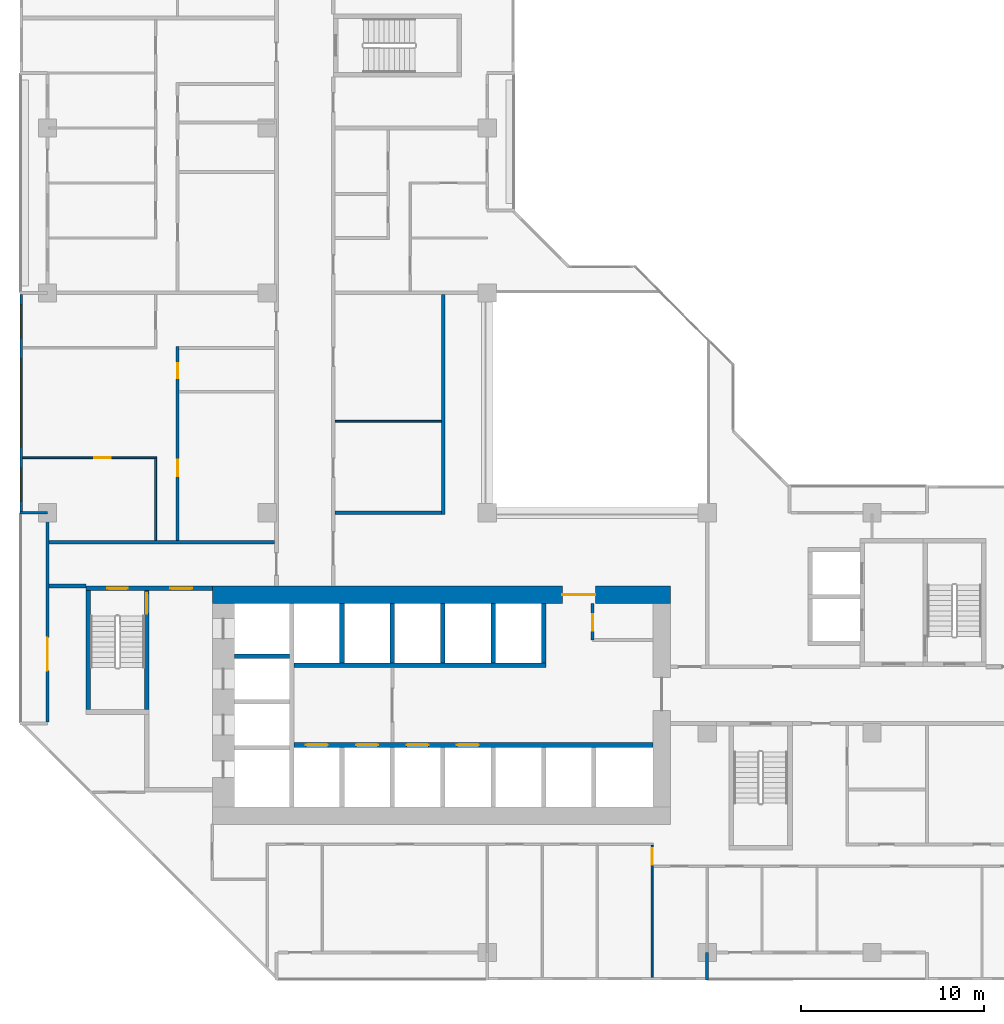
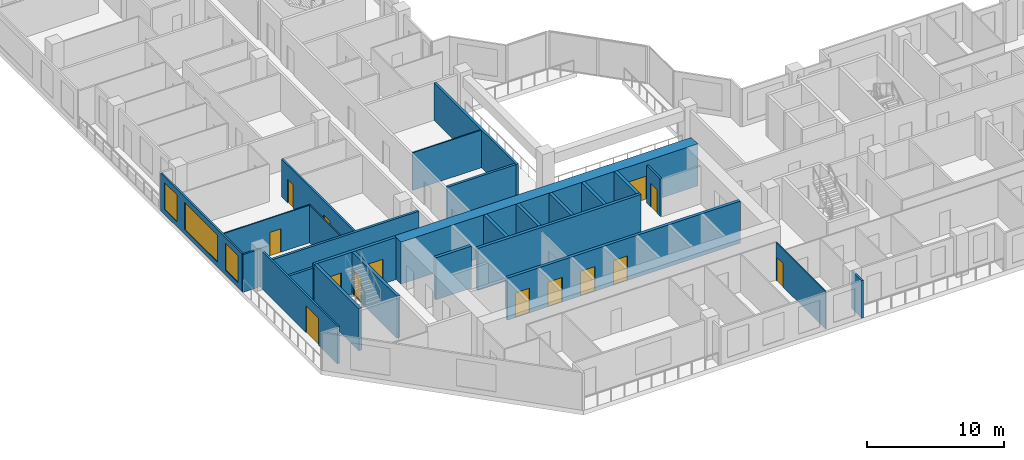
# One storey, part 5 of 16: 26 walls, 14 doors, 3 windows, 17 openings.
"""IFC4 building model written with IfcOpenShell, lengths in metres."""

from ifc_helpers import new_model, si_unit, direction, frame, frame_2d, origin, place, context, subcontext, project, spatial, rectangle, extrude, material, layer, layer_set, type_object, element, fill, save


model = new_model("IFC4")

# Units and contexts
model_context = context("Model", 3, precision=1e-05, world=origin(), true_north=direction((0.0, 1.0)))
body_context = subcontext(model_context, "Body", "Model", "MODEL_VIEW")
ifc_project = project(units=[si_unit("LENGTHUNIT", "METRE"), si_unit("AREAUNIT", "SQUARE_METRE"), si_unit("VOLUMEUNIT", "CUBIC_METRE"), si_unit("PLANEANGLEUNIT", "RADIAN"), si_unit("MASSUNIT", "GRAM", prefix="KILO")], contexts=[model_context])

# Site, building, storey
site_placement = place(None, origin())
site = spatial("IfcSite", under=ifc_project, at=site_placement, CompositionType="ELEMENT")
building_placement = place(site_placement, origin())
building = spatial("IfcBuilding", under=site, at=building_placement, Name="Chenar Terraces", CompositionType="ELEMENT")
storey_placement = place(building_placement, frame((0.0, 0.0, 103.14990234375)))
storey = spatial("IfcBuildingStorey", under=building, at=storey_placement, Name="L23", CompositionType="ELEMENT", Elevation=103.14990234375)

# Wall, opening, door
ifc_material_1 = material(Name="Gypsum board on steel studs", Category="steel")
ifc_layer_1 = layer(ifc_material_1, 0.14990234375)
ifc_layer_set_1 = layer_set([ifc_layer_1], Name="Gypsum board on steel studs")
wall_type_1 = type_object("IfcWallType", Name="Core partition 150 gypsum board", PredefinedType="PARTITIONING", material=ifc_layer_set_1)
wall_1_placement = place(storey_placement, frame((29.75, 17.050048828125, 0.0), z_axis=(0.0, 0.0, 1.0), x_axis=(0.0, 1.0, 0.0)))
wall_1 = element("IfcWall", 1, at=wall_1_placement, inside=storey, type_object=wall_type_1, Name="Core partition CP1 vestibule room west wall", PredefinedType="PARTITIONING", context=body_context, shape_type="SweptSolid", body=[
    extrude(rectangle(XDim=2.0, YDim=0.14990234375, at=frame_2d((1.0, 0.0))), origin(), (0.0, 0.0, 1.0), 3.35009765625),
])
opening_1_placement = place(wall_1_placement, frame((0.5, 0.0, 0.0)))
opening_1 = element("IfcOpeningElement", 2, at=opening_1_placement, cuts=wall_1, Name="Opening DL23-C13", PredefinedType="OPENING", context=body_context, shape_type="SweptSolid", body=[
    extrude(rectangle(XDim=0.89990234375, YDim=2.10009765625, at=frame_2d((0.449951171875, 1.050048828125))), frame((0.0, 0.0849609375, 0.0), z_axis=(0.0, -1.0, 0.0), x_axis=(1.0, 0.0, 0.0)), (0.0, 0.0, 1.0), 0.169921875),
])
ifc_material_2 = material(Name="Steel-framed fire-resisting door leaf", Category="steel")
door_type_1 = type_object("IfcDoorType", Name="Riser fire door FD60 900 x 2100", OperationType="SINGLE_SWING_LEFT", PredefinedType="DOOR", material=ifc_material_2)
door_1_placement = place(opening_1_placement, frame((0.89990234375, 0.0, 0.0), z_axis=(0.0, 0.0, 1.0), x_axis=(-1.0, 0.0, 0.0)))
door_1 = element("IfcDoor", 3, at=door_1_placement, inside=storey, type_object=door_type_1, Name="Core room door DL23-C13", OperationType="SINGLE_SWING_RIGHT", OverallHeight=2.10009765625, OverallWidth=0.89990234375, PredefinedType="DOOR", context=body_context, shape_type="SweptSolid", body=[
    extrude(rectangle(XDim=0.89990234375, YDim=2.10009765625, at=frame_2d((0.449951171875, 1.050048828125))), frame((0.0, 0.02490234375, 0.0), z_axis=(0.0, -1.0, 0.0), x_axis=(1.0, 0.0, 0.0)), (0.0, 0.0, 1.0), 0.050048828125),
])
fill(opening_1, door_1)

# Wall, openings, doors
ifc_material_3 = material(Name="Concrete C70/85", Category="concrete")
ifc_layer_2 = layer(ifc_material_3, 0.25)
ifc_layer_set_2 = layer_set([ifc_layer_2], Name="Concrete C70/85")
wall_type_2 = type_object("IfcWallType", Name="Core wall 250 Concrete C70/85", PredefinedType="SHEAR", material=ifc_layer_set_2)
wall_2_placement = place(storey_placement, frame((13.449951171875, 11.324951171875, 0.0), z_axis=(0.0, 0.0, 1.0), x_axis=(1.0, 0.0, 0.0)))
wall_2 = element("IfcWall", 4, at=wall_2_placement, inside=storey, type_object=wall_type_2, Name="Core wall SF L23", PredefinedType="SHEAR", context=body_context, shape_type="SweptSolid", body=[
    extrude(rectangle(XDim=19.60009765625, YDim=0.25, at=frame_2d((9.800048828125, 0.0))), origin(), (0.0, 0.0, 1.0), 3.75),
])
opening_2_placement = place(wall_2_placement, frame((0.64990234375, 0.0, 0.0)))
opening_2 = element("IfcOpeningElement", 5, at=opening_2_placement, cuts=wall_2, Name="Opening DL23-LD1", PredefinedType="OPENING", context=body_context, shape_type="SweptSolid", body=[
    extrude(rectangle(XDim=1.199951171875, YDim=2.199951171875, at=frame_2d((0.60009765625, 1.10009765625))), frame((0.0, 0.135009765625, 0.0), z_axis=(0.0, -1.0, 0.0), x_axis=(1.0, 0.0, 0.0)), (0.0, 0.0, 1.0), 0.27001953125),
])
opening_3_placement = place(wall_2_placement, frame((3.39990234375, 0.0, 0.0)))
opening_3 = element("IfcOpeningElement", 6, at=opening_3_placement, cuts=wall_2, Name="Opening DL23-LD2", PredefinedType="OPENING", context=body_context, shape_type="SweptSolid", body=[
    extrude(rectangle(XDim=1.199951171875, YDim=2.199951171875, at=frame_2d((0.60009765625, 1.10009765625))), frame((0.0, 0.135009765625, 0.0), z_axis=(0.0, -1.0, 0.0), x_axis=(1.0, 0.0, 0.0)), (0.0, 0.0, 1.0), 0.27001953125),
])
opening_4_placement = place(wall_2_placement, frame((6.14990234375, 0.0, 0.0)))
opening_4 = element("IfcOpeningElement", 7, at=opening_4_placement, cuts=wall_2, Name="Opening DL23-LD3", PredefinedType="OPENING", context=body_context, shape_type="SweptSolid", body=[
    extrude(rectangle(XDim=1.199951171875, YDim=2.199951171875, at=frame_2d((0.60009765625, 1.10009765625))), frame((0.0, 0.135009765625, 0.0), z_axis=(0.0, -1.0, 0.0), x_axis=(1.0, 0.0, 0.0)), (0.0, 0.0, 1.0), 0.27001953125),
])
opening_5_placement = place(wall_2_placement, frame((8.89990234375, 0.0, 0.0)))
opening_5 = element("IfcOpeningElement", 8, at=opening_5_placement, cuts=wall_2, Name="Opening DL23-LD4", PredefinedType="OPENING", context=body_context, shape_type="SweptSolid", body=[
    extrude(rectangle(XDim=1.199951171875, YDim=2.199951171875, at=frame_2d((0.60009765625, 1.10009765625))), frame((0.0, 0.135009765625, 0.0), z_axis=(0.0, -1.0, 0.0), x_axis=(1.0, 0.0, 0.0)), (0.0, 0.0, 1.0), 0.27001953125),
])
ifc_material_4 = material(Name="Stainless steel", Category="steel")
door_type_2 = type_object("IfcDoorType", Name="Lift landing door 1200 x 2200 sliding", OperationType="DOUBLE_DOOR_SLIDING", PredefinedType="DOOR", material=ifc_material_4)
door_2_placement = place(opening_2_placement, origin())
door_2 = element("IfcDoor", 9, at=door_2_placement, inside=storey, type_object=door_type_2, Name="Landing door L1", OperationType="DOUBLE_DOOR_SLIDING", OverallHeight=2.199951171875, OverallWidth=1.199951171875, PredefinedType="DOOR", context=body_context, shape_type="SweptSolid", body=[
    extrude(rectangle(XDim=1.199951171875, YDim=2.199951171875, at=frame_2d((0.60009765625, 1.10009765625))), frame((0.0, 0.02490234375, 0.0), z_axis=(0.0, -1.0, 0.0), x_axis=(1.0, 0.0, 0.0)), (0.0, 0.0, 1.0), 0.050048828125),
])
fill(opening_2, door_2)
door_3_placement = place(opening_3_placement, origin())
door_3 = element("IfcDoor", 10, at=door_3_placement, inside=storey, type_object=door_type_2, Name="Landing door L2", OperationType="DOUBLE_DOOR_SLIDING", OverallHeight=2.199951171875, OverallWidth=1.199951171875, PredefinedType="DOOR", context=body_context, shape_type="SweptSolid", body=[
    extrude(rectangle(XDim=1.199951171875, YDim=2.199951171875, at=frame_2d((0.60009765625, 1.10009765625))), frame((0.0, 0.02490234375, 0.0), z_axis=(0.0, -1.0, 0.0), x_axis=(1.0, 0.0, 0.0)), (0.0, 0.0, 1.0), 0.050048828125),
])
fill(opening_3, door_3)
door_4_placement = place(opening_4_placement, origin())
door_4 = element("IfcDoor", 11, at=door_4_placement, inside=storey, type_object=door_type_2, Name="Landing door L3", OperationType="DOUBLE_DOOR_SLIDING", OverallHeight=2.199951171875, OverallWidth=1.199951171875, PredefinedType="DOOR", context=body_context, shape_type="SweptSolid", body=[
    extrude(rectangle(XDim=1.199951171875, YDim=2.199951171875, at=frame_2d((0.60009765625, 1.10009765625))), frame((0.0, 0.02490234375, 0.0), z_axis=(0.0, -1.0, 0.0), x_axis=(1.0, 0.0, 0.0)), (0.0, 0.0, 1.0), 0.050048828125),
])
fill(opening_4, door_4)
door_5_placement = place(opening_5_placement, origin())
door_5 = element("IfcDoor", 12, at=door_5_placement, inside=storey, type_object=door_type_2, Name="Landing door L4", OperationType="DOUBLE_DOOR_SLIDING", OverallHeight=2.199951171875, OverallWidth=1.199951171875, PredefinedType="DOOR", context=body_context, shape_type="SweptSolid", body=[
    extrude(rectangle(XDim=1.199951171875, YDim=2.199951171875, at=frame_2d((0.60009765625, 1.10009765625))), frame((0.0, 0.02490234375, 0.0), z_axis=(0.0, -1.0, 0.0), x_axis=(1.0, 0.0, 0.0)), (0.0, 0.0, 1.0), 0.050048828125),
])
fill(opening_5, door_5)

# Walls
wall_3_placement = place(storey_placement, frame((13.449951171875, 15.675048828125, 0.0), z_axis=(0.0, 0.0, 1.0), x_axis=(1.0, 0.0, 0.0)))
element("IfcWall", 13, at=wall_3_placement, inside=storey, type_object=wall_type_2, Name="Core wall NF L23", PredefinedType="SHEAR", context=body_context, shape_type="SweptSolid", body=[
    extrude(rectangle(XDim=13.75, YDim=0.25, at=frame_2d((6.875, 0.0))), origin(), (0.0, 0.0, 1.0), 3.75),
])
wall_4_placement = place(storey_placement, frame((10.199951171875, 16.175048828125, 0.0), z_axis=(0.0, 0.0, 1.0), x_axis=(1.0, 0.0, 0.0)))
element("IfcWall", 14, at=wall_4_placement, inside=storey, type_object=wall_type_2, Name="Core wall HW2 L23", PredefinedType="SHEAR", context=body_context, shape_type="SweptSolid", body=[
    extrude(rectangle(XDim=3.0, YDim=0.25, at=frame_2d((1.5, 0.0))), origin(), (0.0, 0.0, 1.0), 3.75),
])
for number, where, z_axis, x_axis, name in (
    (15, (16.074951171875, 15.800048828125, 0.0), (0.0, 0.0, 1.0), (0.0, 1.0, 0.0), "Core wall NS0 L23"),
    (16, (18.824951171875, 15.800048828125, 0.0), (0.0, 0.0, 1.0), (0.0, 1.0, 0.0), "Core wall NS1 L23"),
    (17, (21.574951171875, 15.800048828125, 0.0), (0.0, 0.0, 1.0), (0.0, 1.0, 0.0), "Core wall NS2 L23"),
    (18, (24.324951171875, 15.800048828125, 0.0), (0.0, 0.0, 1.0), (0.0, 1.0, 0.0), "Core wall NS3 L23"),
    (19, (27.074951171875, 15.800048828125, 0.0), (0.0, 0.0, 1.0), (0.0, 1.0, 0.0), "Core wall NE L23"),
):
    element("IfcWall", number, at=place(storey_placement, frame(where, z_axis=z_axis, x_axis=x_axis)), inside=storey, type_object=wall_type_2, Name=name, PredefinedType="SHEAR", context=body_context, shape_type="SweptSolid", body=[
        extrude(rectangle(XDim=3.25, YDim=0.25, at=frame_2d((1.625, 0.0))), origin(), (0.0, 0.0, 1.0), 3.75),
    ])

# Wall, openings, doors
wall_5_placement = place(storey_placement, frame((2.10009765625, 19.875, 0.0), z_axis=(0.0, 0.0, 1.0), x_axis=(1.0, 0.0, 0.0)))
wall_5 = element("IfcWall", 20, at=wall_5_placement, inside=storey, type_object=wall_type_2, Name="Core wall A_N L23", PredefinedType="SHEAR", context=body_context, shape_type="SweptSolid", body=[
    extrude(rectangle(XDim=6.89990234375, YDim=0.25, at=frame_2d((3.449951171875, 0.0))), origin(), (0.0, 0.0, 1.0), 3.75),
])
opening_6_placement = place(wall_5_placement, frame((1.175048828125, 0.0, 0.0)))
opening_6 = element("IfcOpeningElement", 21, at=opening_6_placement, cuts=wall_5, Name="Opening DL23-C5", PredefinedType="OPENING", context=body_context, shape_type="SweptSolid", body=[
    extrude(rectangle(XDim=1.10009765625, YDim=2.199951171875, at=frame_2d((0.550048828125, 1.10009765625))), frame((0.0, 0.135009765625, 0.0), z_axis=(0.0, -1.0, 0.0), x_axis=(1.0, 0.0, 0.0)), (0.0, 0.0, 1.0), 0.27001953125),
])
opening_7_placement = place(wall_5_placement, frame((4.60009765625, 0.0, 0.0)))
opening_7 = element("IfcOpeningElement", 22, at=opening_7_placement, cuts=wall_5, Name="Opening DL23-C6", PredefinedType="OPENING", context=body_context, shape_type="SweptSolid", body=[
    extrude(rectangle(XDim=1.199951171875, YDim=2.199951171875, at=frame_2d((0.60009765625, 1.10009765625))), frame((0.0, 0.135009765625, 0.0), z_axis=(0.0, -1.0, 0.0), x_axis=(1.0, 0.0, 0.0)), (0.0, 0.0, 1.0), 0.27001953125),
])
ifc_material_5 = material(Name="Steel-framed fire-resisting door leaf", Category="steel")
door_type_3 = type_object("IfcDoorType", Name="Lobby fire door FD60 1200 x 2200", OperationType="SINGLE_SWING_LEFT", PredefinedType="DOOR", material=ifc_material_5)
door_6_placement = place(opening_7_placement, frame((1.199951171875, 0.0, 0.0), z_axis=(0.0, 0.0, 1.0), x_axis=(-1.0, 0.0, 0.0)))
door_6 = element("IfcDoor", 23, at=door_6_placement, inside=storey, type_object=door_type_3, Name="Core door DL23-C6", OperationType="SINGLE_SWING_LEFT", OverallHeight=2.199951171875, OverallWidth=1.199951171875, PredefinedType="DOOR", context=body_context, shape_type="SweptSolid", body=[
    extrude(rectangle(XDim=1.199951171875, YDim=2.199951171875, at=frame_2d((0.60009765625, 1.10009765625))), frame((0.0, 0.02490234375, 0.0), z_axis=(0.0, -1.0, 0.0), x_axis=(1.0, 0.0, 0.0)), (0.0, 0.0, 1.0), 0.050048828125),
])
fill(opening_7, door_6)
ifc_material_6 = material(Name="Steel-framed fire-resisting door leaf", Category="steel")
door_type_4 = type_object("IfcDoorType", Name="Stair fire door FD60 1100 x 2200", OperationType="SINGLE_SWING_LEFT", PredefinedType="DOOR", material=ifc_material_6)
door_7_placement = place(opening_6_placement, origin())
door_7 = element("IfcDoor", 24, at=door_7_placement, inside=storey, type_object=door_type_4, Name="Stair door DL23-C5", OperationType="SINGLE_SWING_LEFT", OverallHeight=2.199951171875, OverallWidth=1.10009765625, PredefinedType="DOOR", context=body_context, shape_type="SweptSolid", body=[
    extrude(rectangle(XDim=1.10009765625, YDim=2.199951171875, at=frame_2d((0.550048828125, 1.10009765625))), frame((0.0, 0.02490234375, 0.0), z_axis=(0.0, -1.0, 0.0), x_axis=(1.0, 0.0, 0.0)), (0.0, 0.0, 1.0), 0.050048828125),
])
fill(opening_6, door_7)

# Wall
wall_6_placement = place(storey_placement, frame((2.22509765625, 13.25, 0.0), z_axis=(0.0, 0.0, 1.0), x_axis=(0.0, 1.0, 0.0)))
element("IfcWall", 25, at=wall_6_placement, inside=storey, type_object=wall_type_2, Name="Core wall ST1_W L23", PredefinedType="SHEAR", context=body_context, shape_type="SweptSolid", body=[
    extrude(rectangle(XDim=6.5, YDim=0.25, at=frame_2d((3.25, 0.0))), origin(), (0.0, 0.0, 1.0), 3.75),
])

# Wall, opening, door
wall_7_placement = place(storey_placement, frame((5.425048828125, 13.25, 0.0), z_axis=(0.0, 0.0, 1.0), x_axis=(0.0, 1.0, 0.0)))
wall_7 = element("IfcWall", 26, at=wall_7_placement, inside=storey, type_object=wall_type_2, Name="Core wall ST1_E L23", PredefinedType="SHEAR", context=body_context, shape_type="SweptSolid", body=[
    extrude(rectangle(XDim=6.5, YDim=0.25, at=frame_2d((3.25, 0.0))), origin(), (0.0, 0.0, 1.0), 3.75),
])
opening_8_placement = place(wall_7_placement, frame((5.25, 0.0, 0.0)))
opening_8 = element("IfcOpeningElement", 27, at=opening_8_placement, cuts=wall_7, Name="Opening DL23-C3", PredefinedType="OPENING", context=body_context, shape_type="SweptSolid", body=[
    extrude(rectangle(XDim=1.10009765625, YDim=2.199951171875, at=frame_2d((0.550048828125, 1.10009765625))), frame((0.0, 0.135009765625, 0.0), z_axis=(0.0, -1.0, 0.0), x_axis=(1.0, 0.0, 0.0)), (0.0, 0.0, 1.0), 0.27001953125),
])
door_8_placement = place(opening_8_placement, origin())
door_8 = element("IfcDoor", 28, at=door_8_placement, inside=storey, type_object=door_type_4, Name="Stair door DL23-C3", OperationType="SINGLE_SWING_RIGHT", OverallHeight=2.199951171875, OverallWidth=1.10009765625, PredefinedType="DOOR", context=body_context, shape_type="SweptSolid", body=[
    extrude(rectangle(XDim=1.10009765625, YDim=2.199951171875, at=frame_2d((0.550048828125, 1.10009765625))), frame((0.0, 0.02490234375, 0.0), z_axis=(0.0, -1.0, 0.0), x_axis=(1.0, 0.0, 0.0)), (0.0, 0.0, 1.0), 0.050048828125),
])
fill(opening_8, door_8)

ifc_material_7 = material(Name="Concrete C70/85", Category="concrete")
ifc_layer_3 = layer(ifc_material_7, 0.949951171875)
ifc_layer_set_3 = layer_set([ifc_layer_3], Name="Concrete C70/85")
wall_type_3 = type_object("IfcWallType", Name="Core wall 950 Concrete C70/85", PredefinedType="SHEAR", material=ifc_layer_set_3)
wall_8_placement = place(storey_placement, frame((9.0, 19.52490234375, 0.0), z_axis=(0.0, 0.0, 1.0), x_axis=(1.0, 0.0, 0.0)))
wall_8 = element("IfcWall", 29, at=wall_8_placement, inside=storey, type_object=wall_type_3, Name="Core wall N L23", PredefinedType="SHEAR", context=body_context, shape_type="SweptSolid", body=[
    extrude(rectangle(XDim=25.0, YDim=0.949951171875, at=frame_2d((12.5, 0.0))), origin(), (0.0, 0.0, 1.0), 3.75),
])
opening_9_placement = place(wall_8_placement, frame((19.10009765625, 0.0, 0.0)))
opening_9 = element("IfcOpeningElement", 30, at=opening_9_placement, cuts=wall_8, Name="Opening DL23-C2", PredefinedType="OPENING", context=body_context, shape_type="SweptSolid", body=[
    extrude(rectangle(XDim=1.800048828125, YDim=2.39990234375, at=frame_2d((0.89990234375, 1.199951171875))), frame((0.0, 0.48486328125, 0.0), z_axis=(0.0, -1.0, 0.0), x_axis=(1.0, 0.0, 0.0)), (0.0, 0.0, 1.0), 0.969970703125),
])
ifc_material_8 = material(Name="Steel-framed fire-resisting door leaf", Category="steel")
door_type_5 = type_object("IfcDoorType", Name="Core entrance double fire door FD60 1800 x 2400", OperationType="DOUBLE_DOOR_SINGLE_SWING", PredefinedType="DOOR", material=ifc_material_8)
door_9_placement = place(opening_9_placement, origin())
door_9 = element("IfcDoor", 31, at=door_9_placement, inside=storey, type_object=door_type_5, Name="Core door DL23-C2", OperationType="DOUBLE_DOOR_SINGLE_SWING", OverallHeight=2.39990234375, OverallWidth=1.800048828125, PredefinedType="DOOR", context=body_context, shape_type="SweptSolid", body=[
    extrude(rectangle(XDim=1.800048828125, YDim=2.39990234375, at=frame_2d((0.89990234375, 1.199951171875))), frame((0.0, 0.02490234375, 0.0), z_axis=(0.0, -1.0, 0.0), x_axis=(1.0, 0.0, 0.0)), (0.0, 0.0, 1.0), 0.050048828125),
])
fill(opening_9, door_9)

# Walls
ifc_material_9 = material(Name="Gypsum board on steel studs with fire boards", Category="steel")
ifc_layer_4 = layer(ifc_material_9, 0.199951171875)
ifc_layer_set_4 = layer_set([ifc_layer_4], Name="Gypsum board on steel studs with fire boards")
wall_type_4 = type_object("IfcWallType", Name="Corridor wall 200", PredefinedType="PARTITIONING", material=ifc_layer_set_4)
wall_9_placement = place(storey_placement, frame((0.073974609375, 20.0, 0.0), z_axis=(0.0, 0.0, 1.0), x_axis=(1.0, 0.0, 0.0)))
element("IfcWall", 32, at=wall_9_placement, inside=storey, type_object=wall_type_4, Name="Partition L23-008", PredefinedType="PARTITIONING", context=body_context, shape_type="SweptSolid", body=[
    extrude(rectangle(XDim=2.026123046875, YDim=0.199951171875, at=frame_2d((1.01318359375, 0.0))), origin(), (0.0, 0.0, 1.0), 3.35009765625),
])
wall_10_placement = place(storey_placement, frame((0.073974609375, 22.39990234375, 0.0), z_axis=(0.0, 0.0, 1.0), x_axis=(1.0, 0.0, 0.0)))
element("IfcWall", 33, at=wall_10_placement, inside=storey, type_object=wall_type_4, Name="Partition L23-009", PredefinedType="PARTITIONING", context=body_context, shape_type="SweptSolid", body=[
    extrude(rectangle(XDim=12.325927734375, YDim=0.199951171875, at=frame_2d((6.1630859375, 0.0))), origin(), (0.0, 0.0, 1.0), 3.35009765625),
])
wall_11_placement = place(storey_placement, frame((15.699951171875, 24.0, 0.0), z_axis=(0.0, 0.0, 1.0), x_axis=(1.0, 0.0, 0.0)))
element("IfcWall", 34, at=wall_11_placement, inside=storey, type_object=wall_type_4, Name="Partition L23-038", PredefinedType="PARTITIONING", context=body_context, shape_type="SweptSolid", body=[
    extrude(rectangle(XDim=5.800048828125, YDim=0.199951171875, at=frame_2d((2.89990234375, 0.0))), origin(), (0.0, 0.0, 1.0), 3.35009765625),
])
wall_12_placement = place(storey_placement, frame((21.60009765625, 23.89990234375, 0.0), z_axis=(0.0, 0.0, 1.0), x_axis=(0.0, 1.0, 0.0)))
element("IfcWall", 35, at=wall_12_placement, inside=storey, type_object=wall_type_4, Name="Partition L23-055", PredefinedType="PARTITIONING", context=body_context, shape_type="SweptSolid", body=[
    extrude(rectangle(XDim=12.0, YDim=0.199951171875, at=frame_2d((6.0, 0.0))), origin(), (0.0, 0.0, 1.0), 3.35009765625),
])

# Wall, openings, windows
ifc_material_10 = material(Name="Aluminium framed glazing", Category="aluminium")
ifc_layer_5 = layer(ifc_material_10, 0.14990234375)
ifc_layer_set_5 = layer_set([ifc_layer_5], Name="Aluminium framed glazing")
wall_type_5 = type_object("IfcWallType", Name="Glazed flush facade wall 150", PredefinedType="SOLIDWALL", material=ifc_layer_set_5)
wall_13_placement = place(storey_placement, frame((-1.425048828125, 35.925048828125, 0.0), z_axis=(0.0, 0.0, 1.0), x_axis=(0.0, -1.0, 0.0)))
wall_13 = element("IfcWall", 36, at=wall_13_placement, inside=storey, type_object=wall_type_5, Name="Glazed flush facade wall", PredefinedType="SOLIDWALL", context=body_context, shape_type="SweptSolid", body=[
    extrude(rectangle(XDim=11.85009765625, YDim=0.14990234375, at=frame_2d((5.925048828125, 0.0))), origin(), (0.0, 0.0, 1.0), 3.35009765625),
])
opening_10_placement = place(wall_13_placement, frame((0.5625, 0.0, 0.449951171875)))
opening_10 = element("IfcOpeningElement", 37, at=opening_10_placement, cuts=wall_13, Name="Opening W180x240", PredefinedType="OPENING", context=body_context, shape_type="SweptSolid", body=[
    extrude(rectangle(XDim=1.800048828125, YDim=2.39990234375, at=frame_2d((0.89990234375, 1.199951171875))), frame((0.0, 0.0849609375, 0.0), z_axis=(0.0, -1.0, 0.0), x_axis=(1.0, 0.0, 0.0)), (0.0, 0.0, 1.0), 0.169921875),
])
opening_11_placement = place(wall_13_placement, frame((3.52490234375, 0.0, 0.449951171875)))
opening_11 = element("IfcOpeningElement", 38, at=opening_11_placement, cuts=wall_13, Name="Opening W480x240", PredefinedType="OPENING", context=body_context, shape_type="SweptSolid", body=[
    extrude(rectangle(XDim=4.800048828125, YDim=2.39990234375, at=frame_2d((2.39990234375, 1.199951171875))), frame((0.0, 0.0849609375, 0.0), z_axis=(0.0, -1.0, 0.0), x_axis=(1.0, 0.0, 0.0)), (0.0, 0.0, 1.0), 0.169921875),
])
opening_12_placement = place(wall_13_placement, frame((9.487548828125, 0.0, 0.449951171875)))
opening_12 = element("IfcOpeningElement", 39, at=opening_12_placement, cuts=wall_13, Name="Opening W180x240", PredefinedType="OPENING", context=body_context, shape_type="SweptSolid", body=[
    extrude(rectangle(XDim=1.800048828125, YDim=2.39990234375, at=frame_2d((0.89990234375, 1.199951171875))), frame((0.0, 0.0849609375, 0.0), z_axis=(0.0, -1.0, 0.0), x_axis=(1.0, 0.0, 0.0)), (0.0, 0.0, 1.0), 0.169921875),
])
ifc_material_11 = material(Name="Low emissivity double glazing, aluminium frame", Category="aluminium")
window_type_1 = type_object("IfcWindowType", Name="Fixed light 1800 x 2400", PartitioningType="SINGLE_PANEL", PredefinedType="WINDOW", material=ifc_material_11)
window_1_placement = place(opening_10_placement, origin())
window_1 = element("IfcWindow", 40, at=window_1_placement, inside=storey, type_object=window_type_1, Name="Window", OverallHeight=2.39990234375, OverallWidth=1.800048828125, PartitioningType="SINGLE_PANEL", PredefinedType="WINDOW", context=body_context, shape_type="SweptSolid", body=[
    extrude(rectangle(XDim=1.800048828125, YDim=2.39990234375, at=frame_2d((0.89990234375, 1.199951171875))), frame((0.0, 0.030029296875, 0.0), z_axis=(0.0, -1.0, 0.0), x_axis=(1.0, 0.0, 0.0)), (0.0, 0.0, 1.0), 0.06005859375),
])
fill(opening_10, window_1)
window_2_placement = place(opening_12_placement, origin())
window_2 = element("IfcWindow", 41, at=window_2_placement, inside=storey, type_object=window_type_1, Name="Window", OverallHeight=2.39990234375, OverallWidth=1.800048828125, PartitioningType="SINGLE_PANEL", PredefinedType="WINDOW", context=body_context, shape_type="SweptSolid", body=[
    extrude(rectangle(XDim=1.800048828125, YDim=2.39990234375, at=frame_2d((0.89990234375, 1.199951171875))), frame((0.0, 0.030029296875, 0.0), z_axis=(0.0, -1.0, 0.0), x_axis=(1.0, 0.0, 0.0)), (0.0, 0.0, 1.0), 0.06005859375),
])
fill(opening_12, window_2)
ifc_material_12 = material(Name="Low emissivity double glazing, aluminium frame", Category="aluminium")
window_type_2 = type_object("IfcWindowType", Name="Fixed light 4800 x 2400", PartitioningType="SINGLE_PANEL", PredefinedType="WINDOW", material=ifc_material_12)
window_3_placement = place(opening_11_placement, origin())
window_3 = element("IfcWindow", 42, at=window_3_placement, inside=storey, type_object=window_type_2, Name="Window", OverallHeight=2.39990234375, OverallWidth=4.800048828125, PartitioningType="SINGLE_PANEL", PredefinedType="WINDOW", context=body_context, shape_type="SweptSolid", body=[
    extrude(rectangle(XDim=4.800048828125, YDim=2.39990234375, at=frame_2d((2.39990234375, 1.199951171875))), frame((0.0, 0.030029296875, 0.0), z_axis=(0.0, -1.0, 0.0), x_axis=(1.0, 0.0, 0.0)), (0.0, 0.0, 1.0), 0.06005859375),
])
fill(opening_11, window_3)

# Wall, opening, door
ifc_material_13 = material(Name="Aluminium framed glazing", Category="aluminium")
ifc_layer_6 = layer(ifc_material_13, 0.14990234375)
ifc_layer_set_6 = layer_set([ifc_layer_6], Name="Aluminium framed glazing")
wall_type_6 = type_object("IfcWallType", Name="Glazed loggia back wall 150", PredefinedType="SOLIDWALL", material=ifc_layer_set_6)
wall_14_placement = place(storey_placement, frame((0.0, 23.925048828125, 0.0), z_axis=(0.0, 0.0, 1.0), x_axis=(0.0, -1.0, 0.0)))
wall_14 = element("IfcWall", 43, at=wall_14_placement, inside=storey, type_object=wall_type_6, Name="Glazed loggia back wall", PredefinedType="SOLIDWALL", context=body_context, shape_type="SweptSolid", body=[
    extrude(rectangle(XDim=11.35009765625, YDim=0.14990234375, at=frame_2d((5.675048828125, 0.0))), origin(), (0.0, 0.0, 1.0), 3.35009765625),
])
opening_13_placement = place(wall_14_placement, frame((6.737548828125, 0.0, 0.0)))
opening_13 = element("IfcOpeningElement", 44, at=opening_13_placement, cuts=wall_14, Name="Opening DL23-G5", PredefinedType="OPENING", context=body_context, shape_type="SweptSolid", body=[
    extrude(rectangle(XDim=1.800048828125, YDim=2.39990234375, at=frame_2d((0.89990234375, 1.199951171875))), frame((0.0, 0.0849609375, 0.0), z_axis=(0.0, -1.0, 0.0), x_axis=(1.0, 0.0, 0.0)), (0.0, 0.0, 1.0), 0.169921875),
])
ifc_material_14 = material(Name="Low emissivity double glazing, aluminium frame", Category="aluminium")
door_type_6 = type_object("IfcDoorType", Name="Loggia glazed double door 1800 x 2400", OperationType="DOUBLE_DOOR_SINGLE_SWING", PredefinedType="DOOR", material=ifc_material_14)
door_10_placement = place(opening_13_placement, frame((1.800048828125, 0.0, 0.0), z_axis=(0.0, 0.0, 1.0), x_axis=(-1.0, 0.0, 0.0)))
door_10 = element("IfcDoor", 45, at=door_10_placement, inside=storey, type_object=door_type_6, Name="Loggia glazed door", OperationType="DOUBLE_DOOR_SINGLE_SWING", OverallHeight=2.39990234375, OverallWidth=1.800048828125, PredefinedType="DOOR", context=body_context, shape_type="SweptSolid", body=[
    extrude(rectangle(XDim=1.800048828125, YDim=2.39990234375, at=frame_2d((0.89990234375, 1.199951171875))), frame((0.0, 0.02490234375, 0.0), z_axis=(0.0, -1.0, 0.0), x_axis=(1.0, 0.0, 0.0)), (0.0, 0.0, 1.0), 0.050048828125),
])
fill(opening_13, door_10)

ifc_material_15 = material(Name="Gypsum board on steel studs", Category="steel")
ifc_layer_7 = layer(ifc_material_15, 0.10009765625)
ifc_layer_set_7 = layer_set([ifc_layer_7], Name="Gypsum board on steel studs")
wall_type_7 = type_object("IfcWallType", Name="Gypsum partition 100", PredefinedType="PARTITIONING", material=ifc_layer_set_7)
wall_15_placement = place(storey_placement, frame((-1.35009765625, 27.0, 0.0), z_axis=(0.0, 0.0, 1.0), x_axis=(1.0, 0.0, 0.0)))
wall_15 = element("IfcWall", 46, at=wall_15_placement, inside=storey, type_object=wall_type_7, Name="Partition L23-001", PredefinedType="PARTITIONING", context=body_context, shape_type="SweptSolid", body=[
    extrude(rectangle(XDim=7.300048828125, YDim=0.10009765625, at=frame_2d((3.64990234375, 0.0))), origin(), (0.0, 0.0, 1.0), 3.35009765625),
])
opening_14_placement = place(wall_15_placement, frame((3.89990234375, 0.0, 0.0)))
opening_14 = element("IfcOpeningElement", 47, at=opening_14_placement, cuts=wall_15, Name="Opening DL23-70", PredefinedType="OPENING", context=body_context, shape_type="SweptSolid", body=[
    extrude(rectangle(XDim=0.89990234375, YDim=2.10009765625, at=frame_2d((0.449951171875, 1.050048828125))), frame((0.0, 0.06005859375, 0.0), z_axis=(0.0, -1.0, 0.0), x_axis=(1.0, 0.0, 0.0)), (0.0, 0.0, 1.0), 0.1201171875),
])
ifc_material_16 = material(Name="Veneered timber door leaf", Category="wood")
door_type_7 = type_object("IfcDoorType", Name="Door 900 x 2100", OperationType="SINGLE_SWING_LEFT", PredefinedType="DOOR", material=ifc_material_16)
door_11_placement = place(opening_14_placement, frame((0.89990234375, 0.0, 0.0), z_axis=(0.0, 0.0, 1.0), x_axis=(-1.0, 0.0, 0.0)))
door_11 = element("IfcDoor", 48, at=door_11_placement, inside=storey, type_object=door_type_7, Name="Door DL23-70", OperationType="SINGLE_SWING_RIGHT", OverallHeight=2.10009765625, OverallWidth=0.89990234375, PredefinedType="DOOR", context=body_context, shape_type="SweptSolid", body=[
    extrude(rectangle(XDim=0.89990234375, YDim=2.10009765625, at=frame_2d((0.449951171875, 1.050048828125))), frame((0.0, 0.02490234375, 0.0), z_axis=(0.0, -1.0, 0.0), x_axis=(1.0, 0.0, 0.0)), (0.0, 0.0, 1.0), 0.050048828125),
])
fill(opening_14, door_11)

# Walls
wall_16_placement = place(storey_placement, frame((5.89990234375, 22.5, 0.0), z_axis=(0.0, 0.0, 1.0), x_axis=(0.0, 1.0, 0.0)))
element("IfcWall", 49, at=wall_16_placement, inside=storey, type_object=wall_type_7, Name="Partition L23-014", PredefinedType="PARTITIONING", context=body_context, shape_type="SweptSolid", body=[
    extrude(rectangle(XDim=4.449951171875, YDim=0.10009765625, at=frame_2d((2.22509765625, 0.0))), origin(), (0.0, 0.0, 1.0), 3.35009765625),
])
wall_17_placement = place(storey_placement, frame((15.699951171875, 29.0, 0.0), z_axis=(0.0, 0.0, 1.0), x_axis=(1.0, 0.0, 0.0)))
element("IfcWall", 50, at=wall_17_placement, inside=storey, type_object=wall_type_7, Name="Partition L23-039", PredefinedType="PARTITIONING", context=body_context, shape_type="SweptSolid", body=[
    extrude(rectangle(XDim=5.800048828125, YDim=0.10009765625, at=frame_2d((2.89990234375, 0.0))), origin(), (0.0, 0.0, 1.0), 3.35009765625),
])

# Wall, opening, door
wall_18_placement = place(storey_placement, frame((33.0, -1.35107421875, 0.0), z_axis=(0.0, 0.0, 1.0), x_axis=(0.0, 1.0, 0.0)))
wall_18 = element("IfcWall", 51, at=wall_18_placement, inside=storey, type_object=wall_type_7, Name="Partition L23-059", PredefinedType="PARTITIONING", context=body_context, shape_type="SweptSolid", body=[
    extrude(rectangle(XDim=7.201171875, YDim=0.10009765625, at=frame_2d((3.6005859375, 0.0))), origin(), (0.0, 0.0, 1.0), 3.35009765625),
])
opening_15_placement = place(wall_18_placement, frame((6.15087890625, 0.0, 0.0)))
opening_15 = element("IfcOpeningElement", 52, at=opening_15_placement, cuts=wall_18, Name="Opening DL23-57", PredefinedType="OPENING", context=body_context, shape_type="SweptSolid", body=[
    extrude(rectangle(XDim=0.89990234375, YDim=2.10009765625, at=frame_2d((0.449951171875, 1.050048828125))), frame((0.0, 0.06005859375, 0.0), z_axis=(0.0, -1.0, 0.0), x_axis=(1.0, 0.0, 0.0)), (0.0, 0.0, 1.0), 0.1201171875),
])
door_12_placement = place(opening_15_placement, origin())
door_12 = element("IfcDoor", 53, at=door_12_placement, inside=storey, type_object=door_type_7, Name="Door DL23-57", OperationType="SINGLE_SWING_RIGHT", OverallHeight=2.10009765625, OverallWidth=0.89990234375, PredefinedType="DOOR", context=body_context, shape_type="SweptSolid", body=[
    extrude(rectangle(XDim=0.89990234375, YDim=2.10009765625, at=frame_2d((0.449951171875, 1.050048828125))), frame((0.0, 0.02490234375, 0.0), z_axis=(0.0, -1.0, 0.0), x_axis=(1.0, 0.0, 0.0)), (0.0, 0.0, 1.0), 0.050048828125),
])
fill(opening_15, door_12)

# Walls
ifc_material_17 = material(Name="Terracotta cladding on insulated backing", Category="masonry")
ifc_layer_8 = layer(ifc_material_17, 0.14990234375)
ifc_layer_set_8 = layer_set([ifc_layer_8], Name="Terracotta cladding on insulated backing")
wall_type_8 = type_object("IfcWallType", Name="Loggia return wall 150", PredefinedType="SOLIDWALL", material=ifc_layer_set_8)
for number, where, z_axis, x_axis, name in (
    (54, (-1.5, 24.0, 0.0), (0.0, 0.0, 1.0), (1.0, 0.0, 0.0), "Loggia return wall"),
    (55, (36.0, -1.5, 0.0), (0.0, 0.0, 1.0), (0.0, 1.0, 0.0), "Loggia return wall"),
):
    element("IfcWall", number, at=place(storey_placement, frame(where, z_axis=z_axis, x_axis=x_axis)), inside=storey, type_object=wall_type_8, Name=name, PredefinedType="SOLIDWALL", context=body_context, shape_type="SweptSolid", body=[
        extrude(rectangle(XDim=1.5, YDim=0.14990234375, at=frame_2d((0.75, 0.0))), origin(), (0.0, 0.0, 1.0), 3.35009765625),
    ])

# Wall, openings, doors
ifc_material_18 = material(Name="Moisture-resistant gypsum board on steel studs", Category="steel")
ifc_layer_9 = layer(ifc_material_18, 0.14990234375)
ifc_layer_set_9 = layer_set([ifc_layer_9], Name="Moisture-resistant gypsum board on steel studs")
wall_type_9 = type_object("IfcWallType", Name="Wet-room partition 150", PredefinedType="PARTITIONING", material=ifc_layer_set_9)
wall_19_placement = place(storey_placement, frame((7.10009765625, 22.5, 0.0), z_axis=(0.0, 0.0, 1.0), x_axis=(0.0, 1.0, 0.0)))
wall_19 = element("IfcWall", 56, at=wall_19_placement, inside=storey, type_object=wall_type_9, Name="Partition L23-017", PredefinedType="PARTITIONING", context=body_context, shape_type="SweptSolid", body=[
    extrude(rectangle(XDim=10.574951171875, YDim=0.14990234375, at=frame_2d((5.28759765625, 0.0))), origin(), (0.0, 0.0, 1.0), 3.35009765625),
])
opening_16_placement = place(wall_19_placement, frame((8.85009765625, 0.0, 0.0)))
opening_16 = element("IfcOpeningElement", 57, at=opening_16_placement, cuts=wall_19, Name="Opening DL23-69", PredefinedType="OPENING", context=body_context, shape_type="SweptSolid", body=[
    extrude(rectangle(XDim=0.800048828125, YDim=2.10009765625, at=frame_2d((0.39990234375, 1.050048828125))), frame((0.0, 0.0849609375, 0.0), z_axis=(0.0, -1.0, 0.0), x_axis=(1.0, 0.0, 0.0)), (0.0, 0.0, 1.0), 0.169921875),
])
opening_17_placement = place(wall_19_placement, frame((3.5, 0.0, 0.0)))
opening_17 = element("IfcOpeningElement", 58, at=opening_17_placement, cuts=wall_19, Name="Opening DL23-72", PredefinedType="OPENING", context=body_context, shape_type="SweptSolid", body=[
    extrude(rectangle(XDim=0.89990234375, YDim=2.10009765625, at=frame_2d((0.449951171875, 1.050048828125))), frame((0.0, 0.0849609375, 0.0), z_axis=(0.0, -1.0, 0.0), x_axis=(1.0, 0.0, 0.0)), (0.0, 0.0, 1.0), 0.169921875),
])
ifc_material_19 = material(Name="Veneered timber door leaf", Category="wood")
door_type_8 = type_object("IfcDoorType", Name="Door 800 x 2100", OperationType="SINGLE_SWING_LEFT", PredefinedType="DOOR", material=ifc_material_19)
door_13_placement = place(opening_16_placement, frame((0.800048828125, 0.0, 0.0), z_axis=(0.0, 0.0, 1.0), x_axis=(-1.0, 0.0, 0.0)))
door_13 = element("IfcDoor", 59, at=door_13_placement, inside=storey, type_object=door_type_8, Name="Door DL23-69", OperationType="SINGLE_SWING_RIGHT", OverallHeight=2.10009765625, OverallWidth=0.800048828125, PredefinedType="DOOR", context=body_context, shape_type="SweptSolid", body=[
    extrude(rectangle(XDim=0.800048828125, YDim=2.10009765625, at=frame_2d((0.39990234375, 1.050048828125))), frame((0.0, 0.02490234375, 0.0), z_axis=(0.0, -1.0, 0.0), x_axis=(1.0, 0.0, 0.0)), (0.0, 0.0, 1.0), 0.050048828125),
])
fill(opening_16, door_13)
door_14_placement = place(opening_17_placement, frame((0.89990234375, 0.0, 0.0), z_axis=(0.0, 0.0, 1.0), x_axis=(-1.0, 0.0, 0.0)))
door_14 = element("IfcDoor", 60, at=door_14_placement, inside=storey, type_object=door_type_7, Name="Door DL23-72", OperationType="SINGLE_SWING_RIGHT", OverallHeight=2.10009765625, OverallWidth=0.89990234375, PredefinedType="DOOR", context=body_context, shape_type="SweptSolid", body=[
    extrude(rectangle(XDim=0.89990234375, YDim=2.10009765625, at=frame_2d((0.449951171875, 1.050048828125))), frame((0.0, 0.02490234375, 0.0), z_axis=(0.0, -1.0, 0.0), x_axis=(1.0, 0.0, 0.0)), (0.0, 0.0, 1.0), 0.050048828125),
])
fill(opening_17, door_14)

save(model, "model.ifc")
